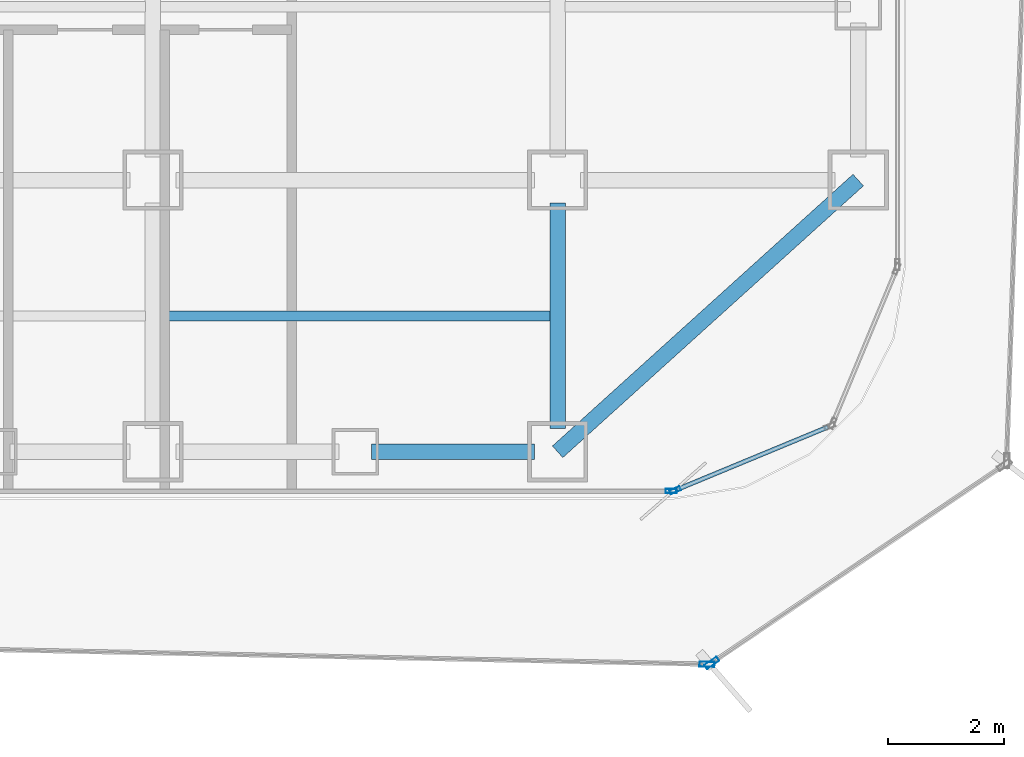
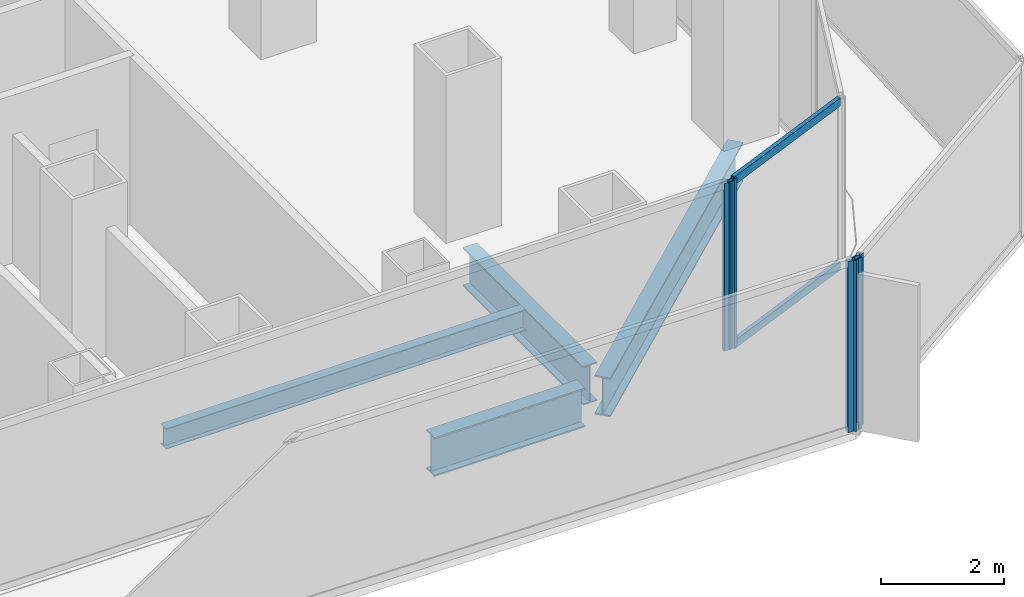
# One storey, part 6 of 21: 6 members, 4 beams, 4 elements without a shape of their own.
"""IFC4 building model written with IfcOpenShell, lengths in metres."""

from ifc_helpers import new_model, si_unit, direction, frame, origin, origin_2d, place, context, subcontext, project, spatial, hollow_rectangle, i_section, extrude, source, transform, mapped, material, layer, layer_set, material_profile, profile_set, type_object, element, aggregate, save


model = new_model("IFC4")

# Units and contexts
model_context = context("Model", 3, precision=1e-05, world=origin(), true_north=direction((0.0, 1.0)))
body_context = subcontext(model_context, "Body", "Model", "MODEL_VIEW")
ifc_project = project(units=[si_unit("LENGTHUNIT", "METRE"), si_unit("AREAUNIT", "SQUARE_METRE"), si_unit("VOLUMEUNIT", "CUBIC_METRE"), si_unit("PLANEANGLEUNIT", "RADIAN"), si_unit("MASSUNIT", "GRAM", prefix="KILO")], contexts=[model_context])

# Site, building, storey
site_placement = place(None, origin())
site = spatial("IfcSite", under=ifc_project, at=site_placement, CompositionType="ELEMENT")
building_placement = place(site_placement, origin())
building = spatial("IfcBuilding", under=site, at=building_placement, Name="Kolveth Station Tower", CompositionType="ELEMENT")
storey_placement = place(building_placement, frame((0.0, 0.0, 47.699951171875)))
storey = spatial("IfcBuildingStorey", under=building, at=storey_placement, Name="L12", CompositionType="ELEMENT", Elevation=47.699951171875)

# Beams
ifc_material_1 = material(Name="Steel S355", Category="steel")
ifc_material_profile_1 = material_profile(ifc_material_1, i_section(OverallWidth=0.26904296875, OverallDepth=0.77490234375, WebThickness=0.01708984375, FlangeThickness=0.0283203125, at=origin_2d()), Name="W760x220")
ifc_profile_set_1 = profile_set([ifc_material_profile_1], Name="Steel S355")
beam_type_1 = type_object("IfcBeamType", Name="Beam_SP1", PredefinedType="SPANDREL", material=ifc_profile_set_1)
shared_shape_1 = source(origin(), body_context, "Body", "SweptSolid", [
    extrude(i_section(OverallWidth=0.26904296875, OverallDepth=0.77490234375, WebThickness=0.01708984375, FlangeThickness=0.0283203125, at=origin_2d()), origin(), (0.0, 0.0, 1.0), 7.00927734375),
])
beam_1_placement = place(storey_placement, frame((41.0, 0.800048828125, -0.66748046875), z_axis=(0.741874009795, 0.670539300557, 0.0), x_axis=(-0.670539300557, 0.741874009795, 0.0)))
element("IfcBeam", 1, at=beam_1_placement, inside=storey, type_object=beam_type_1, Name="L12 Corner Edge Girder BM-L12-CNR-SE", PredefinedType="SPANDREL", context=body_context, shape_type="MappedRepresentation", body=[
    mapped(shared_shape_1, transform((0.0, 0.0, 0.0), x_axis=(1.0, 0.0, 0.0), y_axis=(0.0, 1.0, 0.0), z_axis=(0.0, 0.0, 1.0), scale=1.0)),
])
shared_shape_2 = source(origin(), body_context, "Body", "SweptSolid", [
    extrude(i_section(OverallWidth=0.26904296875, OverallDepth=0.77490234375, WebThickness=0.01708984375, FlangeThickness=0.0283203125, at=origin_2d()), origin(), (0.0, 0.0, 1.0), 2.820068359375),
])
beam_2_placement = place(storey_placement, frame((37.780029296875, 0.800048828125, -0.66748046875), z_axis=(1.0, 0.0, 0.0), x_axis=(0.0, 1.0, 0.0)))
element("IfcBeam", 2, at=beam_2_placement, inside=storey, type_object=beam_type_1, Name="L12 Perimeter Spandrel BM-L12-PS-10", PredefinedType="SPANDREL", context=body_context, shape_type="MappedRepresentation", body=[
    mapped(shared_shape_2, transform((0.0, 0.0, 0.0), x_axis=(1.0, 0.0, 0.0), y_axis=(0.0, 1.0, 0.0), z_axis=(0.0, 0.0, 1.0), scale=1.0)),
])
ifc_material_profile_2 = material_profile(ifc_material_1, i_section(OverallWidth=0.26708984375, OverallDepth=0.76611328125, WebThickness=0.014892578125, FlangeThickness=0.023681640625, at=origin_2d()), Name="W760x185")
ifc_profile_set_2 = profile_set([ifc_material_profile_2], Name="Steel S355")
beam_type_2 = type_object("IfcBeamType", Name="Beam_B3", PredefinedType="BEAM", material=ifc_profile_set_2)
shared_shape_3 = source(origin(), body_context, "Body", "SweptSolid", [
    extrude(i_section(OverallWidth=0.26708984375, OverallDepth=0.76611328125, WebThickness=0.014892578125, FlangeThickness=0.023681640625, at=origin_2d()), origin(), (0.0, 0.0, 1.0), 3.900146484375),
])
beam_3_placement = place(storey_placement, frame((41.0, 1.199951171875, -0.662841796875), z_axis=(0.0, 1.0, 0.0), x_axis=(-1.0, 0.0, 0.0)))
element("IfcBeam", 3, at=beam_3_placement, inside=storey, type_object=beam_type_2, Name="L12 Primary Girder BM-L12-GX410-1", PredefinedType="BEAM", context=body_context, shape_type="MappedRepresentation", body=[
    mapped(shared_shape_3, transform((0.0, 0.0, 0.0), x_axis=(1.0, 0.0, 0.0), y_axis=(0.0, 1.0, 0.0), z_axis=(0.0, 0.0, 1.0), scale=1.0)),
])
ifc_material_profile_3 = material_profile(ifc_material_1, i_section(OverallWidth=0.177978515625, OverallDepth=0.406982421875, WebThickness=0.0078125, FlangeThickness=0.0126953125, at=origin_2d()), Name="W410x60")
ifc_profile_set_3 = profile_set([ifc_material_profile_3], Name="Steel S355")
beam_type_3 = type_object("IfcBeamType", Name="Beam_J1", PredefinedType="JOIST", material=ifc_profile_set_3)
shared_shape_4 = source(origin(), body_context, "Body", "SweptSolid", [
    extrude(i_section(OverallWidth=0.177978515625, OverallDepth=0.406982421875, WebThickness=0.0078125, FlangeThickness=0.0126953125, at=origin_2d()), origin(), (0.0, 0.0, 1.0), 6.73681640625),
])
beam_4_placement = place(storey_placement, frame((34.131591796875, 3.14990234375, -0.4833984375), z_axis=(1.0, 0.0, 0.0), x_axis=(0.0, 1.0, 0.0)))
element("IfcBeam", 4, at=beam_4_placement, inside=storey, type_object=beam_type_3, Name="L12 Secondary Joist JST-L12-6-1", PredefinedType="JOIST", context=body_context, shape_type="MappedRepresentation", body=[
    mapped(shared_shape_4, transform((0.0, 0.0, 0.0), x_axis=(1.0, 0.0, 0.0), y_axis=(0.0, 1.0, 0.0), z_axis=(0.0, 0.0, 1.0), scale=1.0)),
])

# Curtain wall, member
ifc_material_2 = material(Name="Aluminium 6063-T6 and low-E dark glass", Category="aluminium")
ifc_layer_1 = layer(ifc_material_2, 0.179931640625)
ifc_layer_set_1 = layer_set([ifc_layer_1], Name="Aluminium 6063-T6 and low-E dark glass")
curtain_wall_type_1 = type_object("IfcCurtainWallType", Name="CurtainWall_CW-Z1", PredefinedType="NOTDEFINED", material=ifc_layer_set_1)
curtain_wall_1_placement = place(storey_placement, origin())
curtain_wall_1 = element("IfcCurtainWall", 5, at=curtain_wall_1_placement, inside=storey, type_object=curtain_wall_type_1, Name="L12 Inner Thermal Curtain Wall 1", PredefinedType="NOTDEFINED")
ifc_material_3 = material(Name="Black anodized aluminium 6063-T6", Category="aluminium")
ifc_material_profile_4 = material_profile(ifc_material_3, hollow_rectangle(XDim=0.074951171875, YDim=0.18994140625, WallThickness=0.0048828125, at=origin_2d()), Name="ALU-75x190x5")
ifc_profile_set_4 = profile_set([ifc_material_profile_4], Name="Black anodized aluminium 6063-T6")
member_type_1 = type_object("IfcMemberType", Name="Mullion_ML1", PredefinedType="MULLION", material=ifc_profile_set_4)
shared_shape_5 = source(origin(), body_context, "Body", "SweptSolid", [
    extrude(hollow_rectangle(XDim=0.074951171875, YDim=0.18994140625, WallThickness=0.0048828125, at=origin_2d()), origin(), (0.0, 0.0, 1.0), 3.320068359375),
])
member_1_placement = place(storey_placement, frame((43.03466796875, 0.13427734375, 0.0), z_axis=(0.0, 0.0, 1.0), x_axis=(-0.382672990201, 0.923883857728, 0.0)))
member_1 = element("IfcMember", 6, at=member_1_placement, type_object=member_type_1, Name="CW-Z1 mullion 1", PredefinedType="MULLION", context=body_context, shape_type="MappedRepresentation", body=[
    mapped(shared_shape_5, transform((0.0, 0.0, 0.0), x_axis=(1.0, 0.0, 0.0), y_axis=(0.0, 1.0, 0.0), z_axis=(0.0, 0.0, 1.0), scale=1.0)),
])

curtain_wall_2_placement = place(storey_placement, origin())
curtain_wall_2 = element("IfcCurtainWall", 7, at=curtain_wall_2_placement, inside=storey, type_object=curtain_wall_type_1, Name="L12 Inner Thermal Curtain Wall 12", PredefinedType="NOTDEFINED")
member_2_placement = place(storey_placement, frame((42.96240234375, 0.1201171875, 0.0), z_axis=(0.0, 0.0, 1.0), x_axis=(0.0, 1.0, 0.0)))
member_2 = element("IfcMember", 8, at=member_2_placement, type_object=member_type_1, Name="CW-Z1 mullion 3", PredefinedType="MULLION", context=body_context, shape_type="MappedRepresentation", body=[
    mapped(shared_shape_5, transform((0.0, 0.0, 0.0), x_axis=(1.0, 0.0, 0.0), y_axis=(0.0, 1.0, 0.0), z_axis=(0.0, 0.0, 1.0), scale=1.0)),
])
aggregate(curtain_wall_2, [member_2])

# Member
ifc_material_profile_5 = material_profile(ifc_material_3, hollow_rectangle(XDim=0.074951171875, YDim=0.159912109375, WallThickness=0.0048828125, at=origin_2d()), Name="ALU-75x160x5")
ifc_profile_set_5 = profile_set([ifc_material_profile_5], Name="Black anodized aluminium 6063-T6")
member_type_2 = type_object("IfcMemberType", Name="Transom_TR1", PredefinedType="USERDEFINED", material=ifc_profile_set_5)
shared_shape_6 = source(origin(), body_context, "Body", "SweptSolid", [
    extrude(hollow_rectangle(XDim=0.074951171875, YDim=0.159912109375, WallThickness=0.0048828125, at=origin_2d()), origin(), (0.0, 0.0, 1.0), 2.819580078125),
])
member_3_placement = place(storey_placement, frame((43.0693359375, 0.148681640625, 0.03759765625), z_axis=(0.923869084389, 0.382708655389, 0.0), x_axis=(-0.382708655389, 0.923869084389, 0.0)))
member_3 = element("IfcMember", 9, at=member_3_placement, type_object=member_type_2, Name="CW-Z1 transom 1.1", ObjectType="TRANSOM", PredefinedType="USERDEFINED", context=body_context, shape_type="MappedRepresentation", body=[
    mapped(shared_shape_6, transform((0.0, 0.0, 0.0), x_axis=(1.0, 0.0, 0.0), y_axis=(0.0, 1.0, 0.0), z_axis=(0.0, 0.0, 1.0), scale=1.0)),
])

member_4_placement = place(storey_placement, frame((43.0693359375, 0.148681640625, 3.282470703125), z_axis=(0.923869084389, 0.382708655389, 0.0), x_axis=(-0.382708655389, 0.923869084389, 0.0)))
member_4 = element("IfcMember", 10, at=member_4_placement, type_object=member_type_2, Name="CW-Z1 transom 1.2", ObjectType="TRANSOM", PredefinedType="USERDEFINED", context=body_context, shape_type="MappedRepresentation", body=[
    mapped(shared_shape_6, transform((0.0, 0.0, 0.0), x_axis=(1.0, 0.0, 0.0), y_axis=(0.0, 1.0, 0.0), z_axis=(0.0, 0.0, 1.0), scale=1.0)),
])

aggregate(curtain_wall_1, [member_1, member_3, member_4])

# Curtain wall, member
ifc_material_4 = material(Name="Black anodized aluminium 6063-T6 and dark solar glass", Category="aluminium")
ifc_layer_2 = layer(ifc_material_4, 0.159912109375)
ifc_layer_set_2 = layer_set([ifc_layer_2], Name="Black anodized aluminium 6063-T6 and dark solar glass")
curtain_wall_type_2 = type_object("IfcCurtainWallType", Name="OUTER SKIN CW-OS", PredefinedType="NOTDEFINED", material=ifc_layer_set_2)
curtain_wall_3_placement = place(storey_placement, origin())
curtain_wall_3 = element("IfcCurtainWall", 11, at=curtain_wall_3_placement, inside=storey, type_object=curtain_wall_type_2, Name="L12 Outer Ventilated Skin Curtain Wall 1", PredefinedType="NOTDEFINED")
ifc_material_profile_6 = material_profile(ifc_material_3, hollow_rectangle(XDim=0.090087890625, YDim=0.260009765625, WallThickness=0.0048828125, at=origin_2d()), Name="ALU-90x260x5")
ifc_profile_set_6 = profile_set([ifc_material_profile_6], Name="Black anodized aluminium 6063-T6")
member_type_3 = type_object("IfcMemberType", Name="FIN MULLION ML-OS", PredefinedType="MULLION", material=ifc_profile_set_6)
shared_shape_7 = source(origin(), body_context, "Body", "SweptSolid", [
    extrude(hollow_rectangle(XDim=0.090087890625, YDim=0.260009765625, WallThickness=0.0048828125, at=origin_2d()), origin(), (0.0, 0.0, 1.0), 3.39013671875),
])
member_5_placement = place(storey_placement, frame((43.666748046875, -2.851806640625, 0.0), z_axis=(0.0, 0.0, 1.0), x_axis=(-0.560037444824, 0.828467295912, 0.0)))
member_5 = element("IfcMember", 12, at=member_5_placement, type_object=member_type_3, Name="CW-OS mullion 1", PredefinedType="MULLION", context=body_context, shape_type="MappedRepresentation", body=[
    mapped(shared_shape_7, transform((0.0, 0.0, 0.0), x_axis=(1.0, 0.0, 0.0), y_axis=(0.0, 1.0, 0.0), z_axis=(0.0, 0.0, 1.0), scale=1.0)),
])
aggregate(curtain_wall_3, [member_5])

curtain_wall_4_placement = place(storey_placement, origin())
curtain_wall_4 = element("IfcCurtainWall", 13, at=curtain_wall_4_placement, inside=storey, type_object=curtain_wall_type_2, Name="L12 Outer Ventilated Skin Curtain Wall 8", PredefinedType="NOTDEFINED")
member_6_placement = place(storey_placement, frame((43.58447265625, -2.8759765625, 0.0), z_axis=(0.0, 0.0, 1.0), x_axis=(0.020398395319, 0.999791931088, 0.0)))
member_6 = element("IfcMember", 14, at=member_6_placement, type_object=member_type_3, Name="CW-OS mullion 2", PredefinedType="MULLION", context=body_context, shape_type="MappedRepresentation", body=[
    mapped(shared_shape_7, transform((0.0, 0.0, 0.0), x_axis=(1.0, 0.0, 0.0), y_axis=(0.0, 1.0, 0.0), z_axis=(0.0, 0.0, 1.0), scale=1.0)),
])
aggregate(curtain_wall_4, [member_6])

save(model, "model.ifc")
